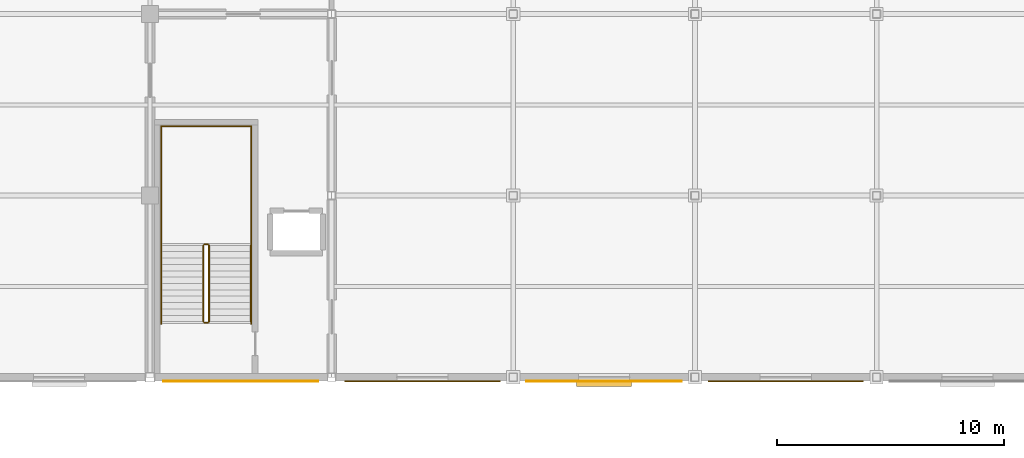
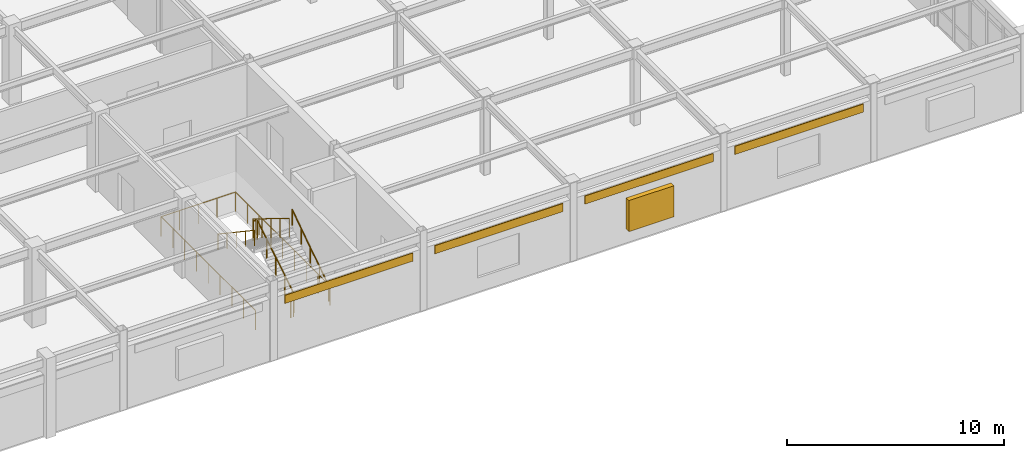
# One storey, part 102 of 111: 9 railings, 4 coverings, 1 shading device.
"""IFC4 building model written with IfcOpenShell, lengths in metres."""

import ifcopenshell
import ifcopenshell.guid

model = None  # the IFC model being written
_history = None  # IfcOwnerHistory: only IFC2X3 demands one
_inside = {}  # id of a spatial element -> (the spatial element, [elements in it])
_under = {}  # id of a project, library or spatial element -> (it, [spatial elements below it])
_declared = {}  # id of a project -> (the project, [libraries it declares])
_typed = {}  # id of a type object -> (the type object, [elements of that type])
_made_of = {}  # id of a material, layer set ... -> (it, [elements and type objects made of it])


def new_model(schema):
    """Start an empty IFC model of exactly this schema.

    Asked for "IFC4X3", IfcOpenShell would pick the latest addendum, in which some entities
    have other attributes; the version numbers below select the first issue.
    IFC2X3 requires an IfcOwnerHistory on every rooted entity: one is made here for all.
    """
    global model, _history
    if schema == "IFC4X3":
        model = ifcopenshell.file(schema_version=(4, 3, 0, 0))
    else:
        model = ifcopenshell.file(schema=schema)
    _inside.clear()
    _under.clear()
    _declared.clear()
    _typed.clear()
    _made_of.clear()
    _history = None
    if model.schema == "IFC2X3":
        org = make("IfcOrganization", Name="unknown")
        user = make(
            "IfcPersonAndOrganization",
            ThePerson=make("IfcPerson", FamilyName="unknown"),
            TheOrganization=org,
        )
        app = make(
            "IfcApplication",
            ApplicationDeveloper=org,
            Version="unknown",
            ApplicationFullName="unknown",
            ApplicationIdentifier="unknown",
        )
        _history = make(
            "IfcOwnerHistory",
            OwningUser=user,
            OwningApplication=app,
            ChangeAction="ADDED",
            CreationDate=0,
        )
    return model


def make(cls, **values):
    """One entity of the class cls with the attributes given. An attribute that is None is left unset."""
    return model.create_entity(
        cls, **{name: value for name, value in values.items() if value is not None}
    )


def rooted(cls, **values):
    """An entity with a GlobalId (a new one), such as an element, a storey or a relation."""
    return make(cls, GlobalId=ifcopenshell.guid.new(), OwnerHistory=_history, **values)


def si_unit(unit_type, name, prefix=None):
    """IfcSIUnit, for example si_unit("LENGTHUNIT", "METRE", prefix="MILLI")."""
    return make("IfcSIUnit", UnitType=unit_type, Prefix=prefix, Name=name)


def assignment(units):
    """IfcUnitAssignment: the units of a project."""
    return None if units is None else make("IfcUnitAssignment", Units=units)


def point(xyz):
    """IfcCartesianPoint."""
    return None if xyz is None else make("IfcCartesianPoint", Coordinates=xyz)


def direction(xyz):
    """IfcDirection."""
    return None if xyz is None else make("IfcDirection", DirectionRatios=xyz)


def frame(location, z_axis=None, x_axis=None):
    """IfcAxis2Placement3D, a coordinate frame: its origin and axes. An axis left out is left unset."""
    return make(
        "IfcAxis2Placement3D",
        Location=point(location),
        Axis=direction(z_axis),
        RefDirection=direction(x_axis),
    )


def frame_2d(location, x_axis=None):
    """IfcAxis2Placement2D, a coordinate frame in the plane: its origin and x axis."""
    return make(
        "IfcAxis2Placement2D", Location=point(location), RefDirection=direction(x_axis)
    )


def origin():
    """The frame at (0, 0, 0) with its axes left unset."""
    return frame((0.0, 0.0, 0.0))


def origin_2d():
    """The frame at (0, 0) in the plane with its x axis left unset."""
    return frame_2d((0.0, 0.0))


def place(relative_to, where):
    """IfcLocalPlacement: puts the frame where relative to a parent placement (None: the world)."""
    return make(
        "IfcLocalPlacement", PlacementRelTo=relative_to, RelativePlacement=where
    )


def context(
    kind, dimensions, precision=None, world=None, true_north=None, identifier=None
):
    """IfcGeometricRepresentationContext, for example the 3D "Model" context."""
    return make(
        "IfcGeometricRepresentationContext",
        ContextIdentifier=identifier,
        ContextType=kind,
        CoordinateSpaceDimension=dimensions,
        Precision=precision,
        WorldCoordinateSystem=world,
        TrueNorth=true_north,
    )


def subcontext(parent, identifier, kind, view, scale=None):
    """IfcGeometricRepresentationSubContext, for example "Body" below "Model"."""
    return make(
        "IfcGeometricRepresentationSubContext",
        ContextIdentifier=identifier,
        ContextType=kind,
        ParentContext=parent,
        TargetScale=scale,
        TargetView=view,
    )


def project(units=None, contexts=None):
    """IfcProject with its units and contexts."""
    return rooted(
        "IfcProject",
        Name="project",
        RepresentationContexts=contexts,
        UnitsInContext=assignment(units),
    )


def spatial(cls, under=None, at=None, **own):
    """A site, building, storey or space (cls), placed at a placement, below another one or the project."""
    s = rooted(cls, ObjectPlacement=at, **own)
    if under is not None:
        _under.setdefault(under.id(), (under, []))[1].append(s)
    return s


def profile(cls, at=None, kind="AREA", **sizes):
    """A parametric profile (cls). Its sizes go by their IFC names, for example OverallWidth=200.0."""
    return make(cls, ProfileType=kind, Position=at, **sizes)


def rectangle(**sizes):
    """IfcRectangleProfileDef."""
    return profile("IfcRectangleProfileDef", **sizes)


def circle(**sizes):
    """IfcCircleProfileDef."""
    return profile("IfcCircleProfileDef", **sizes)


def extrude(swept, where, along, depth):
    """IfcExtrudedAreaSolid: the profile swept, set in the frame where, extruded along a direction by depth."""
    return make(
        "IfcExtrudedAreaSolid",
        SweptArea=swept,
        Position=where,
        ExtrudedDirection=direction(along),
        Depth=depth,
    )


def shape(context_of_items, identifier, shape_type, items):
    """IfcShapeRepresentation: the items that make up one representation, for example the "Body"."""
    return make(
        "IfcShapeRepresentation",
        ContextOfItems=context_of_items,
        RepresentationIdentifier=identifier,
        RepresentationType=shape_type,
        Items=items,
    )


def material(Name=None, Category=None):
    """IfcMaterial."""
    return make("IfcMaterial", Name=Name, Category=Category)


def layer(
    of_material, thickness, ventilated=None, Name=None, Category=None, Priority=None
):
    """IfcMaterialLayer: one layer of a wall or slab, of a material (None: an air gap)."""
    return make(
        "IfcMaterialLayer",
        Material=of_material,
        LayerThickness=thickness,
        IsVentilated=ventilated,
        Name=Name,
        Category=Category,
        Priority=Priority,
    )


def layer_set(layers, Name=None):
    """IfcMaterialLayerSet."""
    return make("IfcMaterialLayerSet", MaterialLayers=layers, LayerSetName=Name)


def made_of(thing, what):
    """Note that an element or type object is made of a material, layer set ...; save() writes the relation."""
    if what is not None:
        _made_of.setdefault(what.id(), (what, []))[1].append(thing)
    return thing


def type_object(cls, material=None, **own):
    """A type object (cls), such as IfcWallType, which elements share."""
    return made_of(rooted(cls, **own), material)


def element(
    cls,
    number,
    at=None,
    inside=None,
    cuts=None,
    type_object=None,
    material=None,
    context=None,
    identifier="Body",
    shape_type=None,
    held_by="IfcProductDefinitionShape",
    body=None,
    shapes=None,
    **own,
):
    """One element of the class cls, such as IfcWall. Its Tag is "e" and its number.

    at: its placement. inside: the storey or other place that contains it. cuts: it is an
    opening in that element (IfcRelVoidsElement). A single representation is given by context,
    identifier, shape_type and body (its items); several are given by shapes. held_by: the class
    of the entity that holds the representations. save() writes the other relations.
    """
    e = rooted(cls, Tag="e%d" % number, ObjectPlacement=at, **own)
    if body is not None:
        shapes = [shape(context, identifier, shape_type, body)]
    if shapes is not None:
        e.Representation = make(held_by, Representations=shapes)
    if inside is not None:
        _inside.setdefault(inside.id(), (inside, []))[1].append(e)
    if cuts is not None:
        rooted(
            "IfcRelVoidsElement", RelatingBuildingElement=cuts, RelatedOpeningElement=e
        )
    if type_object is not None:
        _typed.setdefault(type_object.id(), (type_object, []))[1].append(e)
    return made_of(e, material)


def aggregate(whole, parts):
    """IfcRelAggregates: a whole, such as a stair, and the parts it consists of."""
    return rooted("IfcRelAggregates", RelatingObject=whole, RelatedObjects=parts)


def save(model, path):
    """Write the relations noted so far, then the file.

    IfcRelAggregates (storeys below a building ...), IfcRelContainedInSpatialStructure (elements
    in a storey), IfcRelDefinesByType, IfcRelAssociatesMaterial and IfcRelDeclares: one each for
    every whole, place, type object, material and project.
    """
    for whole, parts in _under.values():
        aggregate(whole, parts)
    for where, things in _inside.values():
        rooted(
            "IfcRelContainedInSpatialStructure",
            RelatedElements=things,
            RelatingStructure=where,
        )
    for kind, things in _typed.values():
        rooted("IfcRelDefinesByType", RelatedObjects=things, RelatingType=kind)
    for what, things in _made_of.values():
        rooted("IfcRelAssociatesMaterial", RelatedObjects=things, RelatingMaterial=what)
    for by, libraries in _declared.values():
        rooted("IfcRelDeclares", RelatingContext=by, RelatedDefinitions=libraries)
    model.write(path)


model = new_model("IFC4")

# Units and contexts
model_context = context("Model", 3, precision=1e-05, world=origin(), true_north=direction((0.0, 1.0)))
body_context = subcontext(model_context, "Body", "Model", "MODEL_VIEW")
ifc_project = project(units=[si_unit("LENGTHUNIT", "METRE"), si_unit("AREAUNIT", "SQUARE_METRE"), si_unit("VOLUMEUNIT", "CUBIC_METRE"), si_unit("PLANEANGLEUNIT", "RADIAN"), si_unit("MASSUNIT", "GRAM", prefix="KILO")], contexts=[model_context])

# Site, building, storey
site_placement = place(None, origin())
site = spatial("IfcSite", under=ifc_project, at=site_placement, CompositionType="ELEMENT")
building_placement = place(site_placement, origin())
building = spatial("IfcBuilding", under=site, at=building_placement, Name="Solmirada Galleria", CompositionType="ELEMENT")
storey_placement = place(building_placement, frame((0.0, 0.0, 10.39990234375)))
storey = spatial("IfcBuildingStorey", under=building, at=storey_placement, Name="L02", CompositionType="ELEMENT", Elevation=10.39990234375)

# Coverings
ifc_material_1 = material(Name="Limestone cladding panels", Category="masonry")
ifc_layer_1 = layer(ifc_material_1, 0.044921875)
ifc_layer_set_1 = layer_set([ifc_layer_1], Name="Limestone cladding panels")
covering_type_1 = type_object("IfcCoveringType", Name="COV-CLAD-LIME", PredefinedType="CLADDING", material=ifc_layer_set_1)
for number, where, z_axis, x_axis, name in (
    (1, (164.0, -0.177490234375, 2.990234375), (0.0, 0.0, 1.0), (-1.0, 0.0, 0.0), "Postmodern facade cladding L02-124"),
    (2, (148.0, -0.177490234375, 2.990234375), (0.0, 0.0, 1.0), (-1.0, 0.0, 0.0), "Postmodern facade cladding L02-126"),
):
    element("IfcCovering", number, at=place(storey_placement, frame(where, z_axis=z_axis, x_axis=x_axis)), inside=storey, type_object=covering_type_1, Name=name, PredefinedType="CLADDING", context=body_context, shape_type="SweptSolid", body=[
        extrude(rectangle(XDim=6.843994140625, YDim=0.044921875, at=origin_2d()), origin(), (0.0, 0.0, 1.0), 0.4599609375),
    ])
ifc_material_2 = material(Name="Glazed terracotta facade panels", Category="masonry")
ifc_layer_2 = layer(ifc_material_2, 0.0400390625)
ifc_layer_set_2 = layer_set([ifc_layer_2], Name="Glazed terracotta facade panels")
covering_type_2 = type_object("IfcCoveringType", Name="COV-CLAD-TERRA", PredefinedType="CLADDING", material=ifc_layer_set_2)
covering_1_placement = place(storey_placement, frame((156.0, -0.175048828125, 2.990234375), z_axis=(0.0, 0.0, 1.0), x_axis=(-1.0, 0.0, 0.0)))
element("IfcCovering", 3, at=covering_1_placement, inside=storey, type_object=covering_type_2, Name="Postmodern facade cladding L02-125", PredefinedType="CLADDING", context=body_context, shape_type="SweptSolid", body=[
    extrude(rectangle(XDim=6.843994140625, YDim=0.0400390625, at=origin_2d()), origin(), (0.0, 0.0, 1.0), 0.4599609375),
])
covering_2_placement = place(storey_placement, frame((140.0, -0.175048828125, 2.990234375), z_axis=(0.0, 0.0, 1.0), x_axis=(-1.0, 0.0, 0.0)))
element("IfcCovering", 4, at=covering_2_placement, inside=storey, type_object=covering_type_2, Name="Postmodern facade cladding L02-127", PredefinedType="CLADDING", context=body_context, shape_type="SweptSolid", body=[
    extrude(rectangle(XDim=6.819091796875, YDim=0.0400390625, at=origin_2d()), origin(), (0.0, 0.0, 1.0), 0.4599609375),
])

# Railings
ifc_material_3 = material(Name="Painted steel tubular railing", Category="steel")
railing_type_1 = type_object("IfcRailingType", Name="RAIL-STAIR-GUARD", PredefinedType="GUARDRAIL", material=ifc_material_3)
railing_1_placement = place(storey_placement, frame((138.60009765625, 2.449951171875, 0.173095703125)))
element("IfcRailing", 5, at=railing_1_placement, inside=storey, type_object=railing_type_1, Name="L02 ST6 stair guard 1", PredefinedType="GUARDRAIL", context=body_context, shape_type="SweptSolid", body=[
    extrude(circle(Radius=0.02392578125, at=origin_2d()), frame((0.0, 0.0, 1.076171875), z_axis=(0.0, 0.850623216509, 0.525775754039), x_axis=(-1.0, 0.0, 0.0)), (0.0, 0.0, 1.0), 3.9501953125),
    extrude(circle(Radius=0.02099609375, at=origin_2d()), origin(), (0.0, 0.0, 1.0), 1.048095703125),
    extrude(circle(Radius=0.02099609375, at=origin_2d()), frame((0.0, 0.840087890625, 0.519287109375)), (0.0, 0.0, 1.0), 1.048095703125),
    extrude(circle(Radius=0.02099609375, at=origin_2d()), frame((0.0, 1.68017578125, 1.03857421875)), (0.0, 0.0, 1.0), 1.048095703125),
    extrude(circle(Radius=0.02099609375, at=origin_2d()), frame((0.0, 2.52001953125, 1.5576171875)), (0.0, 0.0, 1.0), 1.048095703125),
    extrude(circle(Radius=0.02099609375, at=origin_2d()), frame((0.0, 3.360107421875, 2.076904296875)), (0.0, 0.0, 1.0), 1.048095703125),
])
railing_2_placement = place(storey_placement, frame((138.550048828125, 5.860107421875, 2.25)))
element("IfcRailing", 6, at=railing_2_placement, inside=storey, type_object=railing_type_1, Name="L02 ST6 stair guard 2", PredefinedType="GUARDRAIL", context=body_context, shape_type="SweptSolid", body=[
    extrude(circle(Radius=0.02392578125, at=origin_2d()), frame((0.0, 0.0, 1.076171875), z_axis=(-1.0, 0.0, 0.0), x_axis=(0.0, -1.0, 0.0)), (0.0, 0.0, 1.0), 0.150146484375),
    extrude(circle(Radius=0.02099609375, at=origin_2d()), origin(), (0.0, 0.0, 1.0), 1.048095703125),
    extrude(circle(Radius=0.02099609375, at=origin_2d()), frame((-0.150146484375, 0.0, 0.0)), (0.0, 0.0, 1.0), 1.048095703125),
])
railing_3_placement = place(storey_placement, frame((138.35009765625, 5.81005859375, 2.423095703125)))
element("IfcRailing", 7, at=railing_3_placement, inside=storey, type_object=railing_type_1, Name="L02 ST6 stair guard 3", PredefinedType="GUARDRAIL", context=body_context, shape_type="SweptSolid", body=[
    extrude(circle(Radius=0.02392578125, at=origin_2d()), frame((0.0, 0.0, 1.076171875), z_axis=(0.0, -0.850623216509, 0.525775754039), x_axis=(1.0, 0.0, 0.0)), (0.0, 0.0, 1.0), 3.9501953125),
    extrude(circle(Radius=0.02099609375, at=origin_2d()), origin(), (0.0, 0.0, 1.0), 1.048095703125),
    extrude(circle(Radius=0.02099609375, at=origin_2d()), frame((0.0, -0.840087890625, 0.519287109375)), (0.0, 0.0, 1.0), 1.048095703125),
    extrude(circle(Radius=0.02099609375, at=origin_2d()), frame((0.0, -1.68017578125, 1.03857421875)), (0.0, 0.0, 1.0), 1.048095703125),
    extrude(circle(Radius=0.02099609375, at=origin_2d()), frame((0.0, -2.52001953125, 1.5576171875)), (0.0, 0.0, 1.0), 1.048095703125),
    extrude(circle(Radius=0.02099609375, at=origin_2d()), frame((0.0, -3.360107421875, 2.076904296875)), (0.0, 0.0, 1.0), 1.048095703125),
])
railing_4_placement = place(storey_placement, frame((138.550048828125, 2.39990234375, 0.0)))
element("IfcRailing", 8, at=railing_4_placement, inside=storey, type_object=railing_type_1, Name="L02 ST6 stair guard 4", PredefinedType="GUARDRAIL", context=body_context, shape_type="SweptSolid", body=[
    extrude(circle(Radius=0.02392578125, at=origin_2d()), frame((0.0, 0.0, 1.076171875), z_axis=(-1.0, 0.0, 0.0), x_axis=(0.0, -1.0, 0.0)), (0.0, 0.0, 1.0), 0.150146484375),
    extrude(circle(Radius=0.02099609375, at=origin_2d()), origin(), (0.0, 0.0, 1.0), 1.048095703125),
    extrude(circle(Radius=0.02099609375, at=origin_2d()), frame((-0.150146484375, 0.0, 0.0)), (0.0, 0.0, 1.0), 1.048095703125),
])
railing_5_placement = place(storey_placement, frame((136.489990234375, 2.35009765625, 0.0)))
element("IfcRailing", 9, at=railing_5_placement, inside=storey, type_object=railing_type_1, Name="Stair ST6 well edge guard L02-1", PredefinedType="GUARDRAIL", context=body_context, shape_type="SweptSolid", body=[
    extrude(circle(Radius=0.02392578125, at=origin_2d()), frame((0.0, 0.0, 1.09619140625), z_axis=(0.0, 1.0, 0.0), x_axis=(-1.0, 0.0, 0.0)), (0.0, 0.0, 1.0), 8.7099609375),
    extrude(circle(Radius=0.02099609375, at=origin_2d()), origin(), (0.0, 0.0, 1.0), 1.068115234375),
    extrude(circle(Radius=0.02099609375, at=origin_2d()), frame((0.0, 1.0888671875, 0.0)), (0.0, 0.0, 1.0), 1.068115234375),
    extrude(circle(Radius=0.02099609375, at=origin_2d()), frame((0.0, 2.177490234375, 0.0)), (0.0, 0.0, 1.0), 1.068115234375),
    extrude(circle(Radius=0.02099609375, at=origin_2d()), frame((0.0, 3.26611328125, 0.0)), (0.0, 0.0, 1.0), 1.068115234375),
    extrude(circle(Radius=0.02099609375, at=origin_2d()), frame((0.0, 4.35498046875, 0.0)), (0.0, 0.0, 1.0), 1.068115234375),
    extrude(circle(Radius=0.02099609375, at=origin_2d()), frame((0.0, 5.44384765625, 0.0)), (0.0, 0.0, 1.0), 1.068115234375),
    extrude(circle(Radius=0.02099609375, at=origin_2d()), frame((0.0, 6.532470703125, 0.0)), (0.0, 0.0, 1.0), 1.068115234375),
    extrude(circle(Radius=0.02099609375, at=origin_2d()), frame((0.0, 7.62109375, 0.0)), (0.0, 0.0, 1.0), 1.068115234375),
    extrude(circle(Radius=0.02099609375, at=origin_2d()), frame((0.0, 8.7099609375, 0.0)), (0.0, 0.0, 1.0), 1.068115234375),
])
railing_6_placement = place(storey_placement, frame((136.489990234375, 11.06005859375, 0.0)))
element("IfcRailing", 10, at=railing_6_placement, inside=storey, type_object=railing_type_1, Name="Stair ST6 well edge guard L02-2", PredefinedType="GUARDRAIL", context=body_context, shape_type="SweptSolid", body=[
    extrude(circle(Radius=0.02392578125, at=origin_2d()), frame((0.0, 0.0, 1.09619140625), z_axis=(1.0, 0.0, 0.0), x_axis=(0.0, 1.0, 0.0)), (0.0, 0.0, 1.0), 3.969970703125),
    extrude(circle(Radius=0.02099609375, at=origin_2d()), origin(), (0.0, 0.0, 1.0), 1.068115234375),
    extrude(circle(Radius=0.02099609375, at=origin_2d()), frame((0.992431640625, 0.0, 0.0)), (0.0, 0.0, 1.0), 1.068115234375),
    extrude(circle(Radius=0.02099609375, at=origin_2d()), frame((1.98486328125, 0.0, 0.0)), (0.0, 0.0, 1.0), 1.068115234375),
    extrude(circle(Radius=0.02099609375, at=origin_2d()), frame((2.9775390625, 0.0, 0.0)), (0.0, 0.0, 1.0), 1.068115234375),
    extrude(circle(Radius=0.02099609375, at=origin_2d()), frame((3.969970703125, 0.0, 0.0)), (0.0, 0.0, 1.0), 1.068115234375),
])
railing_7_placement = place(storey_placement, frame((140.4599609375, 11.06005859375, 0.0)))
element("IfcRailing", 11, at=railing_7_placement, inside=storey, type_object=railing_type_1, Name="Stair ST6 well edge guard L02-3", PredefinedType="GUARDRAIL", context=body_context, shape_type="SweptSolid", body=[
    extrude(circle(Radius=0.02392578125, at=origin_2d()), frame((0.0, 0.0, 1.09619140625), z_axis=(0.0, -1.0, 0.0), x_axis=(1.0, 0.0, 0.0)), (0.0, 0.0, 1.0), 8.7099609375),
    extrude(circle(Radius=0.02099609375, at=origin_2d()), origin(), (0.0, 0.0, 1.0), 1.068115234375),
    extrude(circle(Radius=0.02099609375, at=origin_2d()), frame((0.0, -1.0888671875, 0.0)), (0.0, 0.0, 1.0), 1.068115234375),
    extrude(circle(Radius=0.02099609375, at=origin_2d()), frame((0.0, -2.177490234375, 0.0)), (0.0, 0.0, 1.0), 1.068115234375),
    extrude(circle(Radius=0.02099609375, at=origin_2d()), frame((0.0, -3.26611328125, 0.0)), (0.0, 0.0, 1.0), 1.068115234375),
    extrude(circle(Radius=0.02099609375, at=origin_2d()), frame((0.0, -4.35498046875, 0.0)), (0.0, 0.0, 1.0), 1.068115234375),
    extrude(circle(Radius=0.02099609375, at=origin_2d()), frame((0.0, -5.44384765625, 0.0)), (0.0, 0.0, 1.0), 1.068115234375),
    extrude(circle(Radius=0.02099609375, at=origin_2d()), frame((0.0, -6.532470703125, 0.0)), (0.0, 0.0, 1.0), 1.068115234375),
    extrude(circle(Radius=0.02099609375, at=origin_2d()), frame((0.0, -7.62109375, 0.0)), (0.0, 0.0, 1.0), 1.068115234375),
    extrude(circle(Radius=0.02099609375, at=origin_2d()), frame((0.0, -8.7099609375, 0.0)), (0.0, 0.0, 1.0), 1.068115234375),
])
railing_type_2 = type_object("IfcRailingType", Name="RAIL-STAIR-HAND", PredefinedType="HANDRAIL", material=ifc_material_3)
railing_8_placement = place(storey_placement, frame((140.449951171875, 2.449951171875, 0.173095703125)))
element("IfcRailing", 12, at=railing_8_placement, inside=storey, type_object=railing_type_2, Name="L02 ST6 stair handrail 1", PredefinedType="HANDRAIL", context=body_context, shape_type="SweptSolid", body=[
    extrude(circle(Radius=0.02392578125, at=origin_2d()), frame((0.0, 0.0, 0.8759765625), z_axis=(0.0, 0.830915400975, 0.556398774641), x_axis=(-1.0, 0.0, 0.0)), (0.0, 0.0, 1.0), 4.0439453125),
    extrude(circle(Radius=0.02099609375, at=origin_2d()), origin(), (0.0, 0.0, 1.0), 0.847900390625),
    extrude(circle(Radius=0.02099609375, at=origin_2d()), frame((0.0, 0.840087890625, 0.5625)), (0.0, 0.0, 1.0), 0.847900390625),
    extrude(circle(Radius=0.02099609375, at=origin_2d()), frame((0.0, 1.68017578125, 1.125)), (0.0, 0.0, 1.0), 0.847900390625),
    extrude(circle(Radius=0.02099609375, at=origin_2d()), frame((0.0, 2.52001953125, 1.6875)), (0.0, 0.0, 1.0), 0.847900390625),
    extrude(circle(Radius=0.02099609375, at=origin_2d()), frame((0.0, 3.360107421875, 2.25)), (0.0, 0.0, 1.0), 0.847900390625),
])
railing_9_placement = place(storey_placement, frame((136.5, 5.81005859375, 2.423095703125)))
element("IfcRailing", 13, at=railing_9_placement, inside=storey, type_object=railing_type_2, Name="L02 ST6 stair handrail 2", PredefinedType="HANDRAIL", context=body_context, shape_type="SweptSolid", body=[
    extrude(circle(Radius=0.02392578125, at=origin_2d()), frame((0.0, 0.0, 0.8759765625), z_axis=(0.0, -0.830915400975, 0.556398774641), x_axis=(1.0, 0.0, 0.0)), (0.0, 0.0, 1.0), 4.0439453125),
    extrude(circle(Radius=0.02099609375, at=origin_2d()), origin(), (0.0, 0.0, 1.0), 0.847900390625),
    extrude(circle(Radius=0.02099609375, at=origin_2d()), frame((0.0, -0.840087890625, 0.5625)), (0.0, 0.0, 1.0), 0.847900390625),
    extrude(circle(Radius=0.02099609375, at=origin_2d()), frame((0.0, -1.68017578125, 1.125)), (0.0, 0.0, 1.0), 0.847900390625),
    extrude(circle(Radius=0.02099609375, at=origin_2d()), frame((0.0, -2.52001953125, 1.6875)), (0.0, 0.0, 1.0), 0.847900390625),
    extrude(circle(Radius=0.02099609375, at=origin_2d()), frame((0.0, -3.360107421875, 2.25)), (0.0, 0.0, 1.0), 0.847900390625),
])

# Shading device
ifc_material_4 = material(Name="Extruded aluminium storm louvres", Category="aluminium")
shading_device_type = type_object("IfcShadingDeviceType", Name="SHD-JALOUSIE", PredefinedType="JALOUSIE", material=ifc_material_4)
shading_device_placement = place(storey_placement, frame((156.0, -0.284912109375, 0.800048828125), z_axis=(0.0, 0.0, 1.0), x_axis=(-1.0, 0.0, 0.0)))
element("IfcShadingDevice", 14, at=shading_device_placement, inside=storey, type_object=shading_device_type, Name="Hurricane storm jalousie louvre 050", PredefinedType="JALOUSIE", context=body_context, shape_type="SweptSolid", body=[
    extrude(rectangle(XDim=2.409912109375, YDim=0.260009765625, at=origin_2d()), origin(), (0.0, 0.0, 1.0), 1.75),
])

save(model, "model.ifc")
